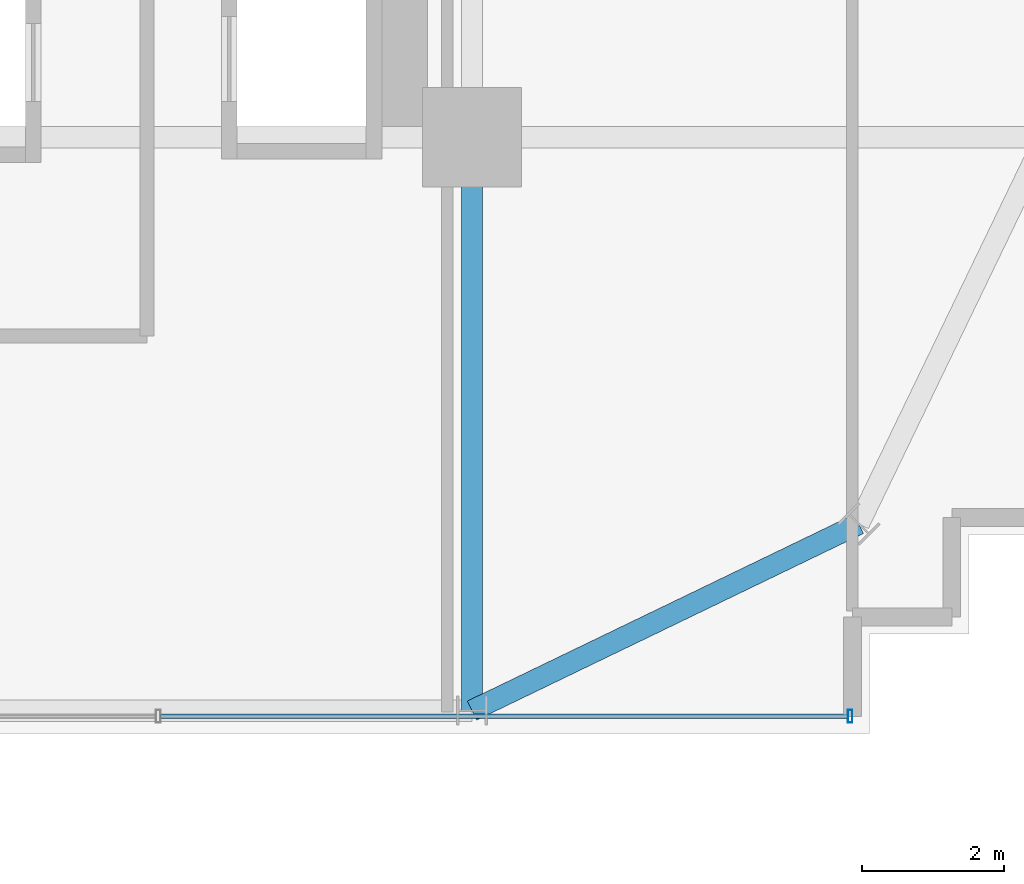
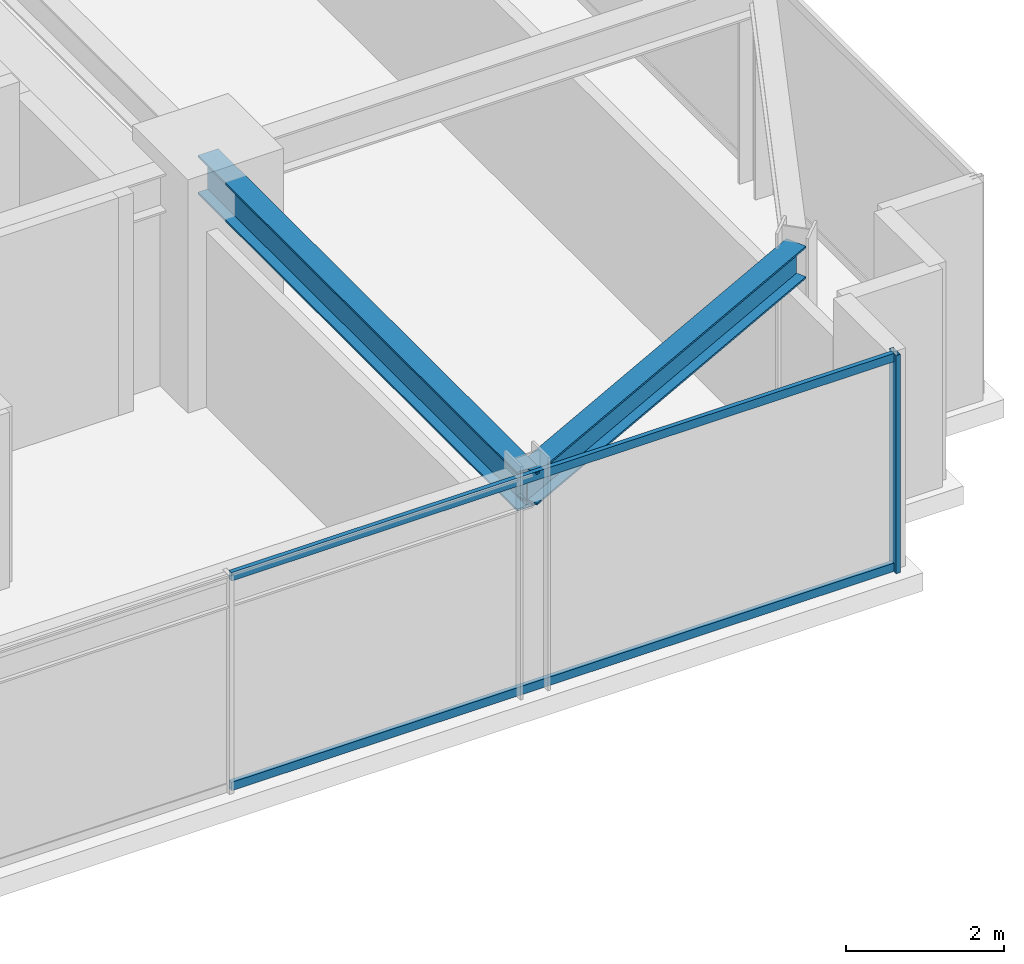
# One storey, part 12 of 36: 3 members, 2 beams, 1 element without a shape of its own.
"""IFC4 building model written with IfcOpenShell, lengths in metres."""

import ifcopenshell
import ifcopenshell.guid

model = None  # the IFC model being written
_history = None  # IfcOwnerHistory: only IFC2X3 demands one
_inside = {}  # id of a spatial element -> (the spatial element, [elements in it])
_under = {}  # id of a project, library or spatial element -> (it, [spatial elements below it])
_declared = {}  # id of a project -> (the project, [libraries it declares])
_typed = {}  # id of a type object -> (the type object, [elements of that type])
_made_of = {}  # id of a material, layer set ... -> (it, [elements and type objects made of it])


def new_model(schema):
    """Start an empty IFC model of exactly this schema.

    Asked for "IFC4X3", IfcOpenShell would pick the latest addendum, in which some entities
    have other attributes; the version numbers below select the first issue.
    IFC2X3 requires an IfcOwnerHistory on every rooted entity: one is made here for all.
    """
    global model, _history
    if schema == "IFC4X3":
        model = ifcopenshell.file(schema_version=(4, 3, 0, 0))
    else:
        model = ifcopenshell.file(schema=schema)
    _inside.clear()
    _under.clear()
    _declared.clear()
    _typed.clear()
    _made_of.clear()
    _history = None
    if model.schema == "IFC2X3":
        org = make("IfcOrganization", Name="unknown")
        user = make(
            "IfcPersonAndOrganization",
            ThePerson=make("IfcPerson", FamilyName="unknown"),
            TheOrganization=org,
        )
        app = make(
            "IfcApplication",
            ApplicationDeveloper=org,
            Version="unknown",
            ApplicationFullName="unknown",
            ApplicationIdentifier="unknown",
        )
        _history = make(
            "IfcOwnerHistory",
            OwningUser=user,
            OwningApplication=app,
            ChangeAction="ADDED",
            CreationDate=0,
        )
    return model


def make(cls, **values):
    """One entity of the class cls with the attributes given. An attribute that is None is left unset."""
    return model.create_entity(
        cls, **{name: value for name, value in values.items() if value is not None}
    )


def rooted(cls, **values):
    """An entity with a GlobalId (a new one), such as an element, a storey or a relation."""
    return make(cls, GlobalId=ifcopenshell.guid.new(), OwnerHistory=_history, **values)


def si_unit(unit_type, name, prefix=None):
    """IfcSIUnit, for example si_unit("LENGTHUNIT", "METRE", prefix="MILLI")."""
    return make("IfcSIUnit", UnitType=unit_type, Prefix=prefix, Name=name)


def assignment(units):
    """IfcUnitAssignment: the units of a project."""
    return None if units is None else make("IfcUnitAssignment", Units=units)


def point(xyz):
    """IfcCartesianPoint."""
    return None if xyz is None else make("IfcCartesianPoint", Coordinates=xyz)


def direction(xyz):
    """IfcDirection."""
    return None if xyz is None else make("IfcDirection", DirectionRatios=xyz)


def frame(location, z_axis=None, x_axis=None):
    """IfcAxis2Placement3D, a coordinate frame: its origin and axes. An axis left out is left unset."""
    return make(
        "IfcAxis2Placement3D",
        Location=point(location),
        Axis=direction(z_axis),
        RefDirection=direction(x_axis),
    )


def frame_2d(location, x_axis=None):
    """IfcAxis2Placement2D, a coordinate frame in the plane: its origin and x axis."""
    return make(
        "IfcAxis2Placement2D", Location=point(location), RefDirection=direction(x_axis)
    )


def origin():
    """The frame at (0, 0, 0) with its axes left unset."""
    return frame((0.0, 0.0, 0.0))


def origin_2d():
    """The frame at (0, 0) in the plane with its x axis left unset."""
    return frame_2d((0.0, 0.0))


def place(relative_to, where):
    """IfcLocalPlacement: puts the frame where relative to a parent placement (None: the world)."""
    return make(
        "IfcLocalPlacement", PlacementRelTo=relative_to, RelativePlacement=where
    )


def context(
    kind, dimensions, precision=None, world=None, true_north=None, identifier=None
):
    """IfcGeometricRepresentationContext, for example the 3D "Model" context."""
    return make(
        "IfcGeometricRepresentationContext",
        ContextIdentifier=identifier,
        ContextType=kind,
        CoordinateSpaceDimension=dimensions,
        Precision=precision,
        WorldCoordinateSystem=world,
        TrueNorth=true_north,
    )


def subcontext(parent, identifier, kind, view, scale=None):
    """IfcGeometricRepresentationSubContext, for example "Body" below "Model"."""
    return make(
        "IfcGeometricRepresentationSubContext",
        ContextIdentifier=identifier,
        ContextType=kind,
        ParentContext=parent,
        TargetScale=scale,
        TargetView=view,
    )


def project(units=None, contexts=None):
    """IfcProject with its units and contexts."""
    return rooted(
        "IfcProject",
        Name="project",
        RepresentationContexts=contexts,
        UnitsInContext=assignment(units),
    )


def spatial(cls, under=None, at=None, **own):
    """A site, building, storey or space (cls), placed at a placement, below another one or the project."""
    s = rooted(cls, ObjectPlacement=at, **own)
    if under is not None:
        _under.setdefault(under.id(), (under, []))[1].append(s)
    return s


def profile(cls, at=None, kind="AREA", **sizes):
    """A parametric profile (cls). Its sizes go by their IFC names, for example OverallWidth=200.0."""
    return make(cls, ProfileType=kind, Position=at, **sizes)


def hollow_rectangle(**sizes):
    """IfcRectangleHollowProfileDef."""
    return profile("IfcRectangleHollowProfileDef", **sizes)


def i_section(**sizes):
    """IfcIShapeProfileDef."""
    return profile("IfcIShapeProfileDef", **sizes)


def extrude(swept, where, along, depth):
    """IfcExtrudedAreaSolid: the profile swept, set in the frame where, extruded along a direction by depth."""
    return make(
        "IfcExtrudedAreaSolid",
        SweptArea=swept,
        Position=where,
        ExtrudedDirection=direction(along),
        Depth=depth,
    )


def shape(context_of_items, identifier, shape_type, items):
    """IfcShapeRepresentation: the items that make up one representation, for example the "Body"."""
    return make(
        "IfcShapeRepresentation",
        ContextOfItems=context_of_items,
        RepresentationIdentifier=identifier,
        RepresentationType=shape_type,
        Items=items,
    )


def source(mapping_origin, context_of_items, identifier, shape_type, items):
    """IfcRepresentationMap: a shape defined once, which mapped items show again and again."""
    return make(
        "IfcRepresentationMap",
        MappingOrigin=mapping_origin,
        MappedRepresentation=shape(context_of_items, identifier, shape_type, items),
    )


def transform(
    local_origin,
    x_axis=None,
    y_axis=None,
    z_axis=None,
    scale=None,
    scale2=None,
    scale3=None,
    uniform=True,
):
    """IfcCartesianTransformationOperator3D, or its non-uniform kind. x_axis, y_axis, z_axis: its Axis1, 2, 3."""
    if uniform:
        return make(
            "IfcCartesianTransformationOperator3D",
            Axis1=direction(x_axis),
            Axis2=direction(y_axis),
            LocalOrigin=point(local_origin),
            Scale=scale,
            Axis3=direction(z_axis),
        )
    return make(
        "IfcCartesianTransformationOperator3DnonUniform",
        Axis1=direction(x_axis),
        Axis2=direction(y_axis),
        LocalOrigin=point(local_origin),
        Scale=scale,
        Axis3=direction(z_axis),
        Scale2=scale2,
        Scale3=scale3,
    )


def mapped(mapping_source, mapping_target):
    """IfcMappedItem: shows the shape of a source again, moved by a transform."""
    return make(
        "IfcMappedItem", MappingSource=mapping_source, MappingTarget=mapping_target
    )


def material(Name=None, Category=None):
    """IfcMaterial."""
    return make("IfcMaterial", Name=Name, Category=Category)


def material_profile(
    of_material, cross_section, Name=None, Category=None, Priority=None
):
    """IfcMaterialProfile: a cross section and its material."""
    return make(
        "IfcMaterialProfile",
        Name=Name,
        Material=of_material,
        Profile=cross_section,
        Priority=Priority,
        Category=Category,
    )


def profile_set(profiles, Name=None, composite=None):
    """IfcMaterialProfileSet."""
    return make(
        "IfcMaterialProfileSet",
        Name=Name,
        MaterialProfiles=profiles,
        CompositeProfile=composite,
    )


def made_of(thing, what):
    """Note that an element or type object is made of a material, layer set ...; save() writes the relation."""
    if what is not None:
        _made_of.setdefault(what.id(), (what, []))[1].append(thing)
    return thing


def type_object(cls, material=None, **own):
    """A type object (cls), such as IfcWallType, which elements share."""
    return made_of(rooted(cls, **own), material)


def element(
    cls,
    number,
    at=None,
    inside=None,
    cuts=None,
    type_object=None,
    material=None,
    context=None,
    identifier="Body",
    shape_type=None,
    held_by="IfcProductDefinitionShape",
    body=None,
    shapes=None,
    **own,
):
    """One element of the class cls, such as IfcWall. Its Tag is "e" and its number.

    at: its placement. inside: the storey or other place that contains it. cuts: it is an
    opening in that element (IfcRelVoidsElement). A single representation is given by context,
    identifier, shape_type and body (its items); several are given by shapes. held_by: the class
    of the entity that holds the representations. save() writes the other relations.
    """
    e = rooted(cls, Tag="e%d" % number, ObjectPlacement=at, **own)
    if body is not None:
        shapes = [shape(context, identifier, shape_type, body)]
    if shapes is not None:
        e.Representation = make(held_by, Representations=shapes)
    if inside is not None:
        _inside.setdefault(inside.id(), (inside, []))[1].append(e)
    if cuts is not None:
        rooted(
            "IfcRelVoidsElement", RelatingBuildingElement=cuts, RelatedOpeningElement=e
        )
    if type_object is not None:
        _typed.setdefault(type_object.id(), (type_object, []))[1].append(e)
    return made_of(e, material)


def aggregate(whole, parts):
    """IfcRelAggregates: a whole, such as a stair, and the parts it consists of."""
    return rooted("IfcRelAggregates", RelatingObject=whole, RelatedObjects=parts)


def save(model, path):
    """Write the relations noted so far, then the file.

    IfcRelAggregates (storeys below a building ...), IfcRelContainedInSpatialStructure (elements
    in a storey), IfcRelDefinesByType, IfcRelAssociatesMaterial and IfcRelDeclares: one each for
    every whole, place, type object, material and project.
    """
    for whole, parts in _under.values():
        aggregate(whole, parts)
    for where, things in _inside.values():
        rooted(
            "IfcRelContainedInSpatialStructure",
            RelatedElements=things,
            RelatingStructure=where,
        )
    for kind, things in _typed.values():
        rooted("IfcRelDefinesByType", RelatedObjects=things, RelatingType=kind)
    for what, things in _made_of.values():
        rooted("IfcRelAssociatesMaterial", RelatedObjects=things, RelatingMaterial=what)
    for by, libraries in _declared.values():
        rooted("IfcRelDeclares", RelatingContext=by, RelatedDefinitions=libraries)
    model.write(path)


model = new_model("IFC4")

# Units and contexts
model_context = context("Model", 3, precision=1e-05, world=origin(), true_north=direction((0.0, 1.0)))
body_context = subcontext(model_context, "Body", "Model", "MODEL_VIEW")
ifc_project = project(units=[si_unit("LENGTHUNIT", "METRE"), si_unit("AREAUNIT", "SQUARE_METRE"), si_unit("VOLUMEUNIT", "CUBIC_METRE"), si_unit("PLANEANGLEUNIT", "RADIAN"), si_unit("MASSUNIT", "GRAM", prefix="KILO")], contexts=[model_context])

# Site, building, storey
site_placement = place(None, origin())
site = spatial("IfcSite", under=ifc_project, at=site_placement, CompositionType="ELEMENT")
building_placement = place(site_placement, origin())
building = spatial("IfcBuilding", under=site, at=building_placement, Name="Nahalor Promenade Grand Hotel", CompositionType="ELEMENT")
storey_placement = place(building_placement, frame((0.0, 0.0, 72.550048828125)))
storey = spatial("IfcBuildingStorey", under=building, at=storey_placement, Name="L17", CompositionType="ELEMENT", Elevation=72.550048828125)

# Beams
ifc_material_1 = material(Name="Steel S355JR", Category="steel")
ifc_material_profile_1 = material_profile(ifc_material_1, i_section(OverallWidth=0.3, OverallDepth=0.6, WebThickness=0.0155, FlangeThickness=0.03, at=origin_2d()), Name="HEB 600")
ifc_profile_set_1 = profile_set([ifc_material_profile_1], Name="Steel S355JR")
beam_type_1 = type_object("IfcBeamType", Name="Beam-Girder-HEB600", PredefinedType="BEAM", material=ifc_profile_set_1)
shared_shape_1 = source(origin(), body_context, "Body", "SweptSolid", [
    extrude(i_section(OverallWidth=0.3, OverallDepth=0.6, WebThickness=0.0155, FlangeThickness=0.03, at=origin_2d()), origin(), (0.0, 0.0, 1.0), 8.080078125),
])
beam_1_placement = place(storey_placement, frame((17.0, -25.080078125, 3.070068359375), z_axis=(0.0, 1.0, 0.0), x_axis=(-1.0, 0.0, 0.0)))
element("IfcBeam", 1, at=beam_1_placement, inside=storey, type_object=beam_type_1, Name="BM-L17-GY-5-0", PredefinedType="BEAM", context=body_context, shape_type="MappedRepresentation", body=[
    mapped(shared_shape_1, transform((0.0, 0.0, 0.0), scale=1.0)),
])
ifc_material_profile_2 = material_profile(ifc_material_1, i_section(OverallWidth=0.3, OverallDepth=0.5, WebThickness=0.0145, FlangeThickness=0.028, at=origin_2d()), Name="HEB 500")
ifc_profile_set_2 = profile_set([ifc_material_profile_2], Name="Steel S355JR")
beam_type_2 = type_object("IfcBeamType", Name="Beam-Spandrel-HEB500", PredefinedType="SPANDREL", material=ifc_profile_set_2)
shared_shape_2 = source(origin(), body_context, "Body", "SweptSolid", [
    extrude(i_section(OverallWidth=0.3, OverallDepth=0.5, WebThickness=0.0145, FlangeThickness=0.028, at=origin_2d()), origin(), (0.0, 0.0, 1.0), 6.051513671875),
])
beam_2_placement = place(storey_placement, frame((17.0, -25.080078125, 3.119873046875), z_axis=(0.900608818852, 0.434630596492, 0.0), x_axis=(-0.434630596492, 0.900608818852, 0.0)))
element("IfcBeam", 2, at=beam_2_placement, inside=storey, type_object=beam_type_2, Name="BM-L17-SPC-SE-1", PredefinedType="SPANDREL", context=body_context, shape_type="MappedRepresentation", body=[
    mapped(shared_shape_2, transform((0.0, 0.0, 0.0), scale=1.0)),
])

# Curtain wall, members
ifc_material_2 = material(Name="Anodised Bronze Aluminium EN AW-6063 T6", Category="aluminium")
curtain_wall_type = type_object("IfcCurtainWallType", Name="CW2 Typical Hotel Flush Bronze Unitised Curtain Wall", PredefinedType="USERDEFINED", material=ifc_material_2)
curtain_wall_placement = place(storey_placement, origin())
curtain_wall = element("IfcCurtainWall", 3, at=curtain_wall_placement, inside=storey, type_object=curtain_wall_type, Name="L17 Curtain Wall CW-L17-S-3", ObjectType="UNITISED_CURTAIN_WALL", PredefinedType="USERDEFINED")
ifc_material_profile_3 = material_profile(ifc_material_2, hollow_rectangle(XDim=0.065, YDim=0.18, WallThickness=0.004, at=origin_2d()), Name="CWM 65x180x4")
ifc_profile_set_3 = profile_set([ifc_material_profile_3], Name="Anodised Bronze Aluminium EN AW-6063 T6")
member_type_1 = type_object("IfcMemberType", Name="CWM2 Typical Bronze Mullion 65x180", PredefinedType="MULLION", material=ifc_profile_set_3)
shared_shape_3 = source(origin(), body_context, "Body", "SweptSolid", [
    extrude(hollow_rectangle(XDim=0.065, YDim=0.18, WallThickness=0.004, at=origin_2d()), origin(), (0.0, 0.0, 1.0), 3.369873046875),
])
member_1_placement = place(storey_placement, frame((22.327392578125, -25.159912109375, 0.0), z_axis=(0.0, 0.0, 1.0), x_axis=(1.0, 0.0, 0.0)))
member_1 = element("IfcMember", 4, at=member_1_placement, type_object=member_type_1, Name="CW-L17-S-3 Mullion 2", PredefinedType="MULLION", context=body_context, shape_type="MappedRepresentation", body=[
    mapped(shared_shape_3, transform((0.0, 0.0, 0.0), scale=1.0)),
])
ifc_material_profile_4 = material_profile(ifc_material_2, hollow_rectangle(XDim=0.065, YDim=0.13, WallThickness=0.004, at=origin_2d()), Name="CWT 65x130x4")
ifc_profile_set_4 = profile_set([ifc_material_profile_4], Name="Anodised Bronze Aluminium EN AW-6063 T6")
member_type_2 = type_object("IfcMemberType", Name="CWT2 Typical Bronze Transom 65x130", PredefinedType="USERDEFINED", material=ifc_profile_set_4)
shared_shape_4 = source(origin(), body_context, "Body", "SweptSolid", [
    extrude(hollow_rectangle(XDim=0.065, YDim=0.13, WallThickness=0.004, at=origin_2d()), origin(), (0.0, 0.0, 1.0), 9.682373046875),
])
member_2_placement = place(storey_placement, frame((12.612548828125, -25.159912109375, 0.06494140625), z_axis=(1.0, 0.0, 0.0), x_axis=(0.0, 1.0, 0.0)))
member_2 = element("IfcMember", 5, at=member_2_placement, type_object=member_type_2, Name="CW-L17-S-3 Transom 1-0", ObjectType="TRANSOM", PredefinedType="USERDEFINED", context=body_context, shape_type="MappedRepresentation", body=[
    mapped(shared_shape_4, transform((0.0, 0.0, 0.0), scale=1.0)),
])
member_3_placement = place(storey_placement, frame((12.612548828125, -25.159912109375, 3.304931640625), z_axis=(1.0, 0.0, 0.0), x_axis=(0.0, 1.0, 0.0)))
member_3 = element("IfcMember", 6, at=member_3_placement, type_object=member_type_2, Name="CW-L17-S-3 Transom 1-1", ObjectType="TRANSOM", PredefinedType="USERDEFINED", context=body_context, shape_type="MappedRepresentation", body=[
    mapped(shared_shape_4, transform((0.0, 0.0, 0.0), scale=1.0)),
])
aggregate(curtain_wall, [member_1, member_2, member_3])

save(model, "model.ifc")
